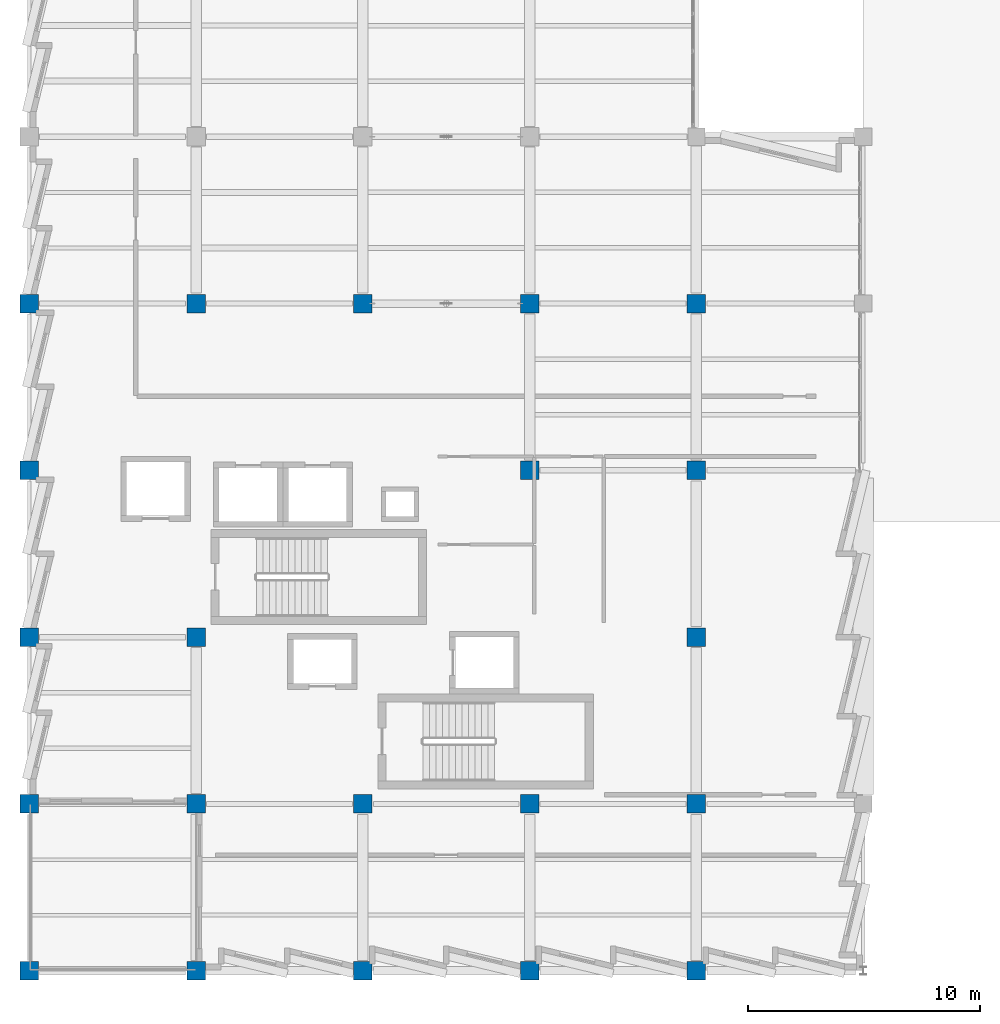
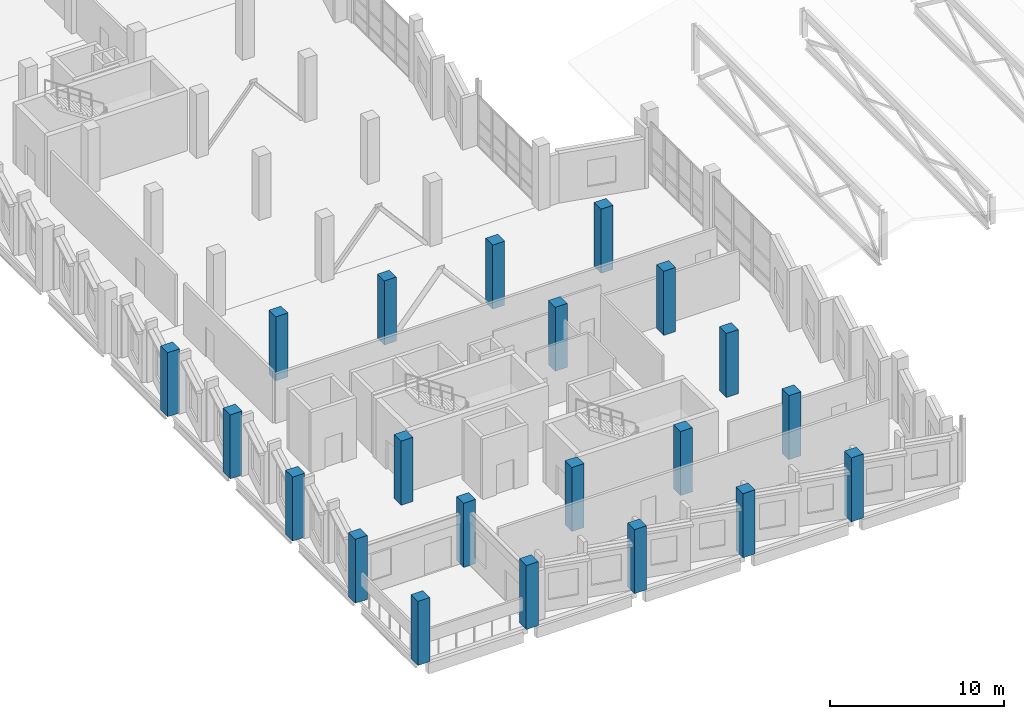
# One storey, part 1 of 123: 21 columns.
"""IFC4 building model written with IfcOpenShell, lengths in metres."""

from ifc_helpers import new_model, si_unit, direction, frame, origin, origin_2d, place, context, subcontext, project, spatial, rectangle, extrude, material, material_profile, profile_set, type_object, element, save


model = new_model("IFC4")

# Units and contexts
model_context = context("Model", 3, precision=1e-05, world=origin(), true_north=direction((0.0, 1.0)))
body_context = subcontext(model_context, "Body", "Model", "MODEL_VIEW")
ifc_project = project(units=[si_unit("LENGTHUNIT", "METRE"), si_unit("AREAUNIT", "SQUARE_METRE"), si_unit("VOLUMEUNIT", "CUBIC_METRE"), si_unit("PLANEANGLEUNIT", "RADIAN"), si_unit("MASSUNIT", "GRAM", prefix="KILO")], contexts=[model_context])

# Site, building, storey
site_placement = place(None, origin())
site = spatial("IfcSite", under=ifc_project, at=site_placement, CompositionType="ELEMENT")
building_placement = place(site_placement, origin())
building = spatial("IfcBuilding", under=site, at=building_placement, Name="Kalmorath City Hall", CompositionType="ELEMENT")
storey_placement = place(building_placement, frame((0.0, 0.0, 10.199951171875)))
storey = spatial("IfcBuildingStorey", under=building, at=storey_placement, Name="L02", CompositionType="ELEMENT", Elevation=10.199951171875)

# Columns
ifc_material = material(Name="Concrete C50/60", Category="concrete")
ifc_material_profile = material_profile(ifc_material, rectangle(XDim=0.800048828125, YDim=0.800048828125, at=origin_2d()), Name="RC-COL-800X800")
ifc_profile_set = profile_set([ifc_material_profile], Name="Concrete C50/60")
column_type = type_object("IfcColumnType", Name="Concrete column 800x800", PredefinedType="COLUMN", material=ifc_profile_set)
for number, where, z_axis, x_axis, name in (
    (1, (0.0, 0.0, 0.0), (0.0, 0.0, 1.0), (1.0, 0.0, 0.0), "L02 column C2 (1/1)"),
    (2, (0.0, 7.199951171875, 0.0), (0.0, 0.0, 1.0), (1.0, 0.0, 0.0), "L02 column C2 (1/2)"),
    (3, (0.0, 14.39990234375, 0.0), (0.0, 0.0, 1.0), (1.0, 0.0, 0.0), "L02 column C2 (1/3)"),
    (4, (0.0, 21.60009765625, 0.0), (0.0, 0.0, 1.0), (1.0, 0.0, 0.0), "L02 column C2 (1/4)"),
    (5, (0.0, 28.800048828125, 0.0), (0.0, 0.0, 1.0), (1.0, 0.0, 0.0), "L02 column C2 (1/5)"),
    (6, (7.199951171875, 0.0, 0.0), (0.0, 0.0, 1.0), (1.0, 0.0, 0.0), "L02 column C2 (2/1)"),
    (7, (7.199951171875, 7.199951171875, 0.0), (0.0, 0.0, 1.0), (1.0, 0.0, 0.0), "L02 column C2 (2/2)"),
    (8, (7.199951171875, 14.39990234375, 0.0), (0.0, 0.0, 1.0), (1.0, 0.0, 0.0), "L02 column C2 (2/3)"),
    (9, (7.199951171875, 28.800048828125, 0.0), (0.0, 0.0, 1.0), (1.0, 0.0, 0.0), "L02 column C2 (2/5)"),
    (10, (14.39990234375, 0.0, 0.0), (0.0, 0.0, 1.0), (1.0, 0.0, 0.0), "L02 column C2 (3/1)"),
    (11, (14.39990234375, 7.199951171875, 0.0), (0.0, 0.0, 1.0), (1.0, 0.0, 0.0), "L02 column C2 (3/2)"),
    (12, (14.39990234375, 28.800048828125, 0.0), (0.0, 0.0, 1.0), (1.0, 0.0, 0.0), "L02 column C2 (3/5)"),
    (13, (21.60009765625, 0.0, 0.0), (0.0, 0.0, 1.0), (1.0, 0.0, 0.0), "L02 column C2 (4/1)"),
    (14, (21.60009765625, 7.199951171875, 0.0), (0.0, 0.0, 1.0), (1.0, 0.0, 0.0), "L02 column C2 (4/2)"),
    (15, (21.60009765625, 21.60009765625, 0.0), (0.0, 0.0, 1.0), (1.0, 0.0, 0.0), "L02 column C2 (4/4)"),
    (16, (21.60009765625, 28.800048828125, 0.0), (0.0, 0.0, 1.0), (1.0, 0.0, 0.0), "L02 column C2 (4/5)"),
    (17, (28.800048828125, 0.0, 0.0), (0.0, 0.0, 1.0), (1.0, 0.0, 0.0), "L02 column C2 (5/1)"),
    (18, (28.800048828125, 7.199951171875, 0.0), (0.0, 0.0, 1.0), (1.0, 0.0, 0.0), "L02 column C2 (5/2)"),
    (19, (28.800048828125, 14.39990234375, 0.0), (0.0, 0.0, 1.0), (1.0, 0.0, 0.0), "L02 column C2 (5/3)"),
    (20, (28.800048828125, 21.60009765625, 0.0), (0.0, 0.0, 1.0), (1.0, 0.0, 0.0), "L02 column C2 (5/4)"),
    (21, (28.800048828125, 28.800048828125, 0.0), (0.0, 0.0, 1.0), (1.0, 0.0, 0.0), "L02 column C2 (5/5)"),
):
    element("IfcColumn", number, at=place(storey_placement, frame(where, z_axis=z_axis, x_axis=x_axis)), inside=storey, type_object=column_type, Name=name, PredefinedType="COLUMN", context=body_context, shape_type="SweptSolid", body=[
        extrude(rectangle(XDim=0.800048828125, YDim=0.800048828125, at=origin_2d()), origin(), (0.0, 0.0, 1.0), 4.5),
    ])

save(model, "model.ifc")
